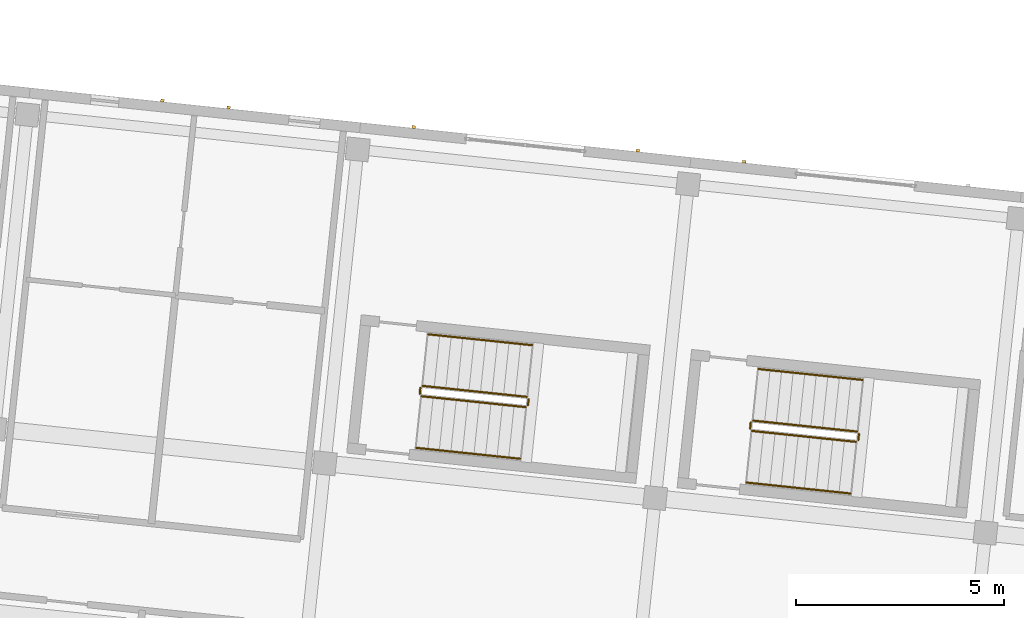
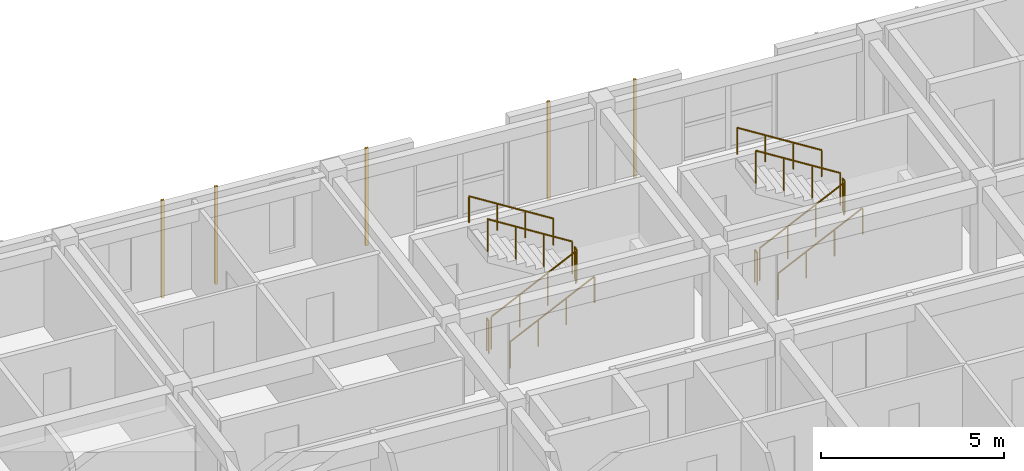
# One storey, part 64 of 65: 12 railings, 5 coverings.
"""IFC4 building model written with IfcOpenShell, lengths in metres."""

import ifcopenshell
import ifcopenshell.guid

model = None  # the IFC model being written
_history = None  # IfcOwnerHistory: only IFC2X3 demands one
_inside = {}  # id of a spatial element -> (the spatial element, [elements in it])
_under = {}  # id of a project, library or spatial element -> (it, [spatial elements below it])
_declared = {}  # id of a project -> (the project, [libraries it declares])
_typed = {}  # id of a type object -> (the type object, [elements of that type])
_made_of = {}  # id of a material, layer set ... -> (it, [elements and type objects made of it])


def new_model(schema):
    """Start an empty IFC model of exactly this schema.

    Asked for "IFC4X3", IfcOpenShell would pick the latest addendum, in which some entities
    have other attributes; the version numbers below select the first issue.
    IFC2X3 requires an IfcOwnerHistory on every rooted entity: one is made here for all.
    """
    global model, _history
    if schema == "IFC4X3":
        model = ifcopenshell.file(schema_version=(4, 3, 0, 0))
    else:
        model = ifcopenshell.file(schema=schema)
    _inside.clear()
    _under.clear()
    _declared.clear()
    _typed.clear()
    _made_of.clear()
    _history = None
    if model.schema == "IFC2X3":
        org = make("IfcOrganization", Name="unknown")
        user = make(
            "IfcPersonAndOrganization",
            ThePerson=make("IfcPerson", FamilyName="unknown"),
            TheOrganization=org,
        )
        app = make(
            "IfcApplication",
            ApplicationDeveloper=org,
            Version="unknown",
            ApplicationFullName="unknown",
            ApplicationIdentifier="unknown",
        )
        _history = make(
            "IfcOwnerHistory",
            OwningUser=user,
            OwningApplication=app,
            ChangeAction="ADDED",
            CreationDate=0,
        )
    return model


def make(cls, **values):
    """One entity of the class cls with the attributes given. An attribute that is None is left unset."""
    return model.create_entity(
        cls, **{name: value for name, value in values.items() if value is not None}
    )


def rooted(cls, **values):
    """An entity with a GlobalId (a new one), such as an element, a storey or a relation."""
    return make(cls, GlobalId=ifcopenshell.guid.new(), OwnerHistory=_history, **values)


def si_unit(unit_type, name, prefix=None):
    """IfcSIUnit, for example si_unit("LENGTHUNIT", "METRE", prefix="MILLI")."""
    return make("IfcSIUnit", UnitType=unit_type, Prefix=prefix, Name=name)


def assignment(units):
    """IfcUnitAssignment: the units of a project."""
    return None if units is None else make("IfcUnitAssignment", Units=units)


def point(xyz):
    """IfcCartesianPoint."""
    return None if xyz is None else make("IfcCartesianPoint", Coordinates=xyz)


def direction(xyz):
    """IfcDirection."""
    return None if xyz is None else make("IfcDirection", DirectionRatios=xyz)


def frame(location, z_axis=None, x_axis=None):
    """IfcAxis2Placement3D, a coordinate frame: its origin and axes. An axis left out is left unset."""
    return make(
        "IfcAxis2Placement3D",
        Location=point(location),
        Axis=direction(z_axis),
        RefDirection=direction(x_axis),
    )


def frame_2d(location, x_axis=None):
    """IfcAxis2Placement2D, a coordinate frame in the plane: its origin and x axis."""
    return make(
        "IfcAxis2Placement2D", Location=point(location), RefDirection=direction(x_axis)
    )


def origin():
    """The frame at (0, 0, 0) with its axes left unset."""
    return frame((0.0, 0.0, 0.0))


def origin_2d():
    """The frame at (0, 0) in the plane with its x axis left unset."""
    return frame_2d((0.0, 0.0))


def place(relative_to, where):
    """IfcLocalPlacement: puts the frame where relative to a parent placement (None: the world)."""
    return make(
        "IfcLocalPlacement", PlacementRelTo=relative_to, RelativePlacement=where
    )


def context(
    kind, dimensions, precision=None, world=None, true_north=None, identifier=None
):
    """IfcGeometricRepresentationContext, for example the 3D "Model" context."""
    return make(
        "IfcGeometricRepresentationContext",
        ContextIdentifier=identifier,
        ContextType=kind,
        CoordinateSpaceDimension=dimensions,
        Precision=precision,
        WorldCoordinateSystem=world,
        TrueNorth=true_north,
    )


def subcontext(parent, identifier, kind, view, scale=None):
    """IfcGeometricRepresentationSubContext, for example "Body" below "Model"."""
    return make(
        "IfcGeometricRepresentationSubContext",
        ContextIdentifier=identifier,
        ContextType=kind,
        ParentContext=parent,
        TargetScale=scale,
        TargetView=view,
    )


def project(units=None, contexts=None):
    """IfcProject with its units and contexts."""
    return rooted(
        "IfcProject",
        Name="project",
        RepresentationContexts=contexts,
        UnitsInContext=assignment(units),
    )


def spatial(cls, under=None, at=None, **own):
    """A site, building, storey or space (cls), placed at a placement, below another one or the project."""
    s = rooted(cls, ObjectPlacement=at, **own)
    if under is not None:
        _under.setdefault(under.id(), (under, []))[1].append(s)
    return s


def profile(cls, at=None, kind="AREA", **sizes):
    """A parametric profile (cls). Its sizes go by their IFC names, for example OverallWidth=200.0."""
    return make(cls, ProfileType=kind, Position=at, **sizes)


def rectangle(**sizes):
    """IfcRectangleProfileDef."""
    return profile("IfcRectangleProfileDef", **sizes)


def circle(**sizes):
    """IfcCircleProfileDef."""
    return profile("IfcCircleProfileDef", **sizes)


def extrude(swept, where, along, depth):
    """IfcExtrudedAreaSolid: the profile swept, set in the frame where, extruded along a direction by depth."""
    return make(
        "IfcExtrudedAreaSolid",
        SweptArea=swept,
        Position=where,
        ExtrudedDirection=direction(along),
        Depth=depth,
    )


def shape(context_of_items, identifier, shape_type, items):
    """IfcShapeRepresentation: the items that make up one representation, for example the "Body"."""
    return make(
        "IfcShapeRepresentation",
        ContextOfItems=context_of_items,
        RepresentationIdentifier=identifier,
        RepresentationType=shape_type,
        Items=items,
    )


def material(Name=None, Category=None):
    """IfcMaterial."""
    return make("IfcMaterial", Name=Name, Category=Category)


def layer(
    of_material, thickness, ventilated=None, Name=None, Category=None, Priority=None
):
    """IfcMaterialLayer: one layer of a wall or slab, of a material (None: an air gap)."""
    return make(
        "IfcMaterialLayer",
        Material=of_material,
        LayerThickness=thickness,
        IsVentilated=ventilated,
        Name=Name,
        Category=Category,
        Priority=Priority,
    )


def layer_set(layers, Name=None):
    """IfcMaterialLayerSet."""
    return make("IfcMaterialLayerSet", MaterialLayers=layers, LayerSetName=Name)


def made_of(thing, what):
    """Note that an element or type object is made of a material, layer set ...; save() writes the relation."""
    if what is not None:
        _made_of.setdefault(what.id(), (what, []))[1].append(thing)
    return thing


def type_object(cls, material=None, **own):
    """A type object (cls), such as IfcWallType, which elements share."""
    return made_of(rooted(cls, **own), material)


def element(
    cls,
    number,
    at=None,
    inside=None,
    cuts=None,
    type_object=None,
    material=None,
    context=None,
    identifier="Body",
    shape_type=None,
    held_by="IfcProductDefinitionShape",
    body=None,
    shapes=None,
    **own,
):
    """One element of the class cls, such as IfcWall. Its Tag is "e" and its number.

    at: its placement. inside: the storey or other place that contains it. cuts: it is an
    opening in that element (IfcRelVoidsElement). A single representation is given by context,
    identifier, shape_type and body (its items); several are given by shapes. held_by: the class
    of the entity that holds the representations. save() writes the other relations.
    """
    e = rooted(cls, Tag="e%d" % number, ObjectPlacement=at, **own)
    if body is not None:
        shapes = [shape(context, identifier, shape_type, body)]
    if shapes is not None:
        e.Representation = make(held_by, Representations=shapes)
    if inside is not None:
        _inside.setdefault(inside.id(), (inside, []))[1].append(e)
    if cuts is not None:
        rooted(
            "IfcRelVoidsElement", RelatingBuildingElement=cuts, RelatedOpeningElement=e
        )
    if type_object is not None:
        _typed.setdefault(type_object.id(), (type_object, []))[1].append(e)
    return made_of(e, material)


def aggregate(whole, parts):
    """IfcRelAggregates: a whole, such as a stair, and the parts it consists of."""
    return rooted("IfcRelAggregates", RelatingObject=whole, RelatedObjects=parts)


def save(model, path):
    """Write the relations noted so far, then the file.

    IfcRelAggregates (storeys below a building ...), IfcRelContainedInSpatialStructure (elements
    in a storey), IfcRelDefinesByType, IfcRelAssociatesMaterial and IfcRelDeclares: one each for
    every whole, place, type object, material and project.
    """
    for whole, parts in _under.values():
        aggregate(whole, parts)
    for where, things in _inside.values():
        rooted(
            "IfcRelContainedInSpatialStructure",
            RelatedElements=things,
            RelatingStructure=where,
        )
    for kind, things in _typed.values():
        rooted("IfcRelDefinesByType", RelatedObjects=things, RelatingType=kind)
    for what, things in _made_of.values():
        rooted("IfcRelAssociatesMaterial", RelatedObjects=things, RelatingMaterial=what)
    for by, libraries in _declared.values():
        rooted("IfcRelDeclares", RelatingContext=by, RelatedDefinitions=libraries)
    model.write(path)


model = new_model("IFC4")

# Units and contexts
model_context = context("Model", 3, precision=1e-05, world=origin(), true_north=direction((0.0, 1.0)))
body_context = subcontext(model_context, "Body", "Model", "MODEL_VIEW")
ifc_project = project(units=[si_unit("LENGTHUNIT", "METRE"), si_unit("AREAUNIT", "SQUARE_METRE"), si_unit("VOLUMEUNIT", "CUBIC_METRE"), si_unit("PLANEANGLEUNIT", "RADIAN"), si_unit("MASSUNIT", "GRAM", prefix="KILO")], contexts=[model_context])

# Site, building, storey
site_placement = place(None, origin())
site = spatial("IfcSite", under=ifc_project, at=site_placement, CompositionType="ELEMENT")
building_placement = place(site_placement, origin())
building = spatial("IfcBuilding", under=site, at=building_placement, Name="Kestramere Prow Commons", CompositionType="ELEMENT")
storey_placement = place(building_placement, frame((0.0, 0.0, 21.39990234375)))
storey = spatial("IfcBuildingStorey", under=building, at=storey_placement, Name="L06", CompositionType="ELEMENT", Elevation=21.39990234375)

# Coverings
ifc_material_1 = material(Name="Weathered Zinc-Titanium Standing-Seam Cladding")
ifc_layer = layer(ifc_material_1, 0.074951171875)
ifc_layer_set = layer_set([ifc_layer], Name="Weathered Zinc-Titanium Standing-Seam Cladding")
covering_type = type_object("IfcCoveringType", Name="COV-CLAD-SEAM", PredefinedType="CLADDING", material=ifc_layer_set)
for number, where, z_axis, x_axis, name in (
    (1, (131.21435546875, 112.95947265625, -0.25), (0.0, 0.0, 1.0), (0.994521895368, -0.104528463268, 0.0), "EW-B-L06-N-2 Standing-Seam Rib 2"),
    (2, (132.8056640625, 112.792236328125, -0.25), (0.0, 0.0, 1.0), (0.994521895368, -0.104528463268, 0.0), "EW-B-L06-N-2 Standing-Seam Rib 3"),
    (3, (137.2685546875, 112.3232421875, -0.25), (0.0, 0.0, 1.0), (0.994521895368, -0.104528463268, 0.0), "EW-B-L06-NP-3-L Standing-Seam Rib 1"),
    (4, (142.663818359375, 111.756103515625, -0.25), (0.0, 0.0, 1.0), (0.994521895368, -0.104528463268, 0.0), "EW-B-L06-NP-3-R Standing-Seam Rib 1"),
    (5, (145.224609375, 111.48681640625, -0.25), (0.0, 0.0, 1.0), (0.994521895368, -0.104528463268, 0.0), "EW-B-L06-NP-4-L Standing-Seam Rib 1"),
):
    element("IfcCovering", number, at=place(storey_placement, frame(where, z_axis=z_axis, x_axis=x_axis)), inside=storey, type_object=covering_type, Name=name, PredefinedType="CLADDING", context=body_context, shape_type="SweptSolid", body=[
        extrude(rectangle(XDim=0.0849609375, YDim=0.06494140625, at=origin_2d()), origin(), (0.0, 0.0, 1.0), 3.25),
    ])

# Railings
ifc_material_2 = material(Name="Galvanised Steel S275JR", Category="steel")
railing_type_1 = type_object("IfcRailingType", Name="RL-ST-GR-1100", PredefinedType="GUARDRAIL", material=ifc_material_2)
railing_1_placement = place(storey_placement, frame((137.454345703125, 105.8408203125, 0.16259765625)))
element("IfcRailing", 6, at=railing_1_placement, inside=storey, type_object=railing_type_1, Name="L06 ST-B1 stair guard 1", PredefinedType="GUARDRAIL", context=body_context, shape_type="SweptSolid", body=[
    extrude(circle(Radius=0.02392578125, at=origin_2d()), frame((0.0, 0.0, 1.076171875), z_axis=(0.860186756994, -0.09040926464, 0.501901293044), x_axis=(0.104528455675, 0.994521896166, 0.0)), (0.0, 0.0, 1.0), 2.913818359375),
    extrude(circle(Radius=0.02099609375, at=origin_2d()), origin(), (0.0, 0.0, 1.0), 1.052001953125),
    extrude(circle(Radius=0.02099609375, at=origin_2d()), frame((0.83544921875, -0.087890625, 0.487548828125)), (0.0, 0.0, 1.0), 1.052001953125),
    extrude(circle(Radius=0.02099609375, at=origin_2d()), frame((1.6708984375, -0.175537109375, 0.974853515625)), (0.0, 0.0, 1.0), 1.052001953125),
    extrude(circle(Radius=0.02099609375, at=origin_2d()), frame((2.50634765625, -0.263427734375, 1.46240234375)), (0.0, 0.0, 1.0), 1.052001953125),
])
railing_2_placement = place(storey_placement, frame((140.015625, 105.621826171875, 1.625)))
element("IfcRailing", 7, at=railing_2_placement, inside=storey, type_object=railing_type_1, Name="L06 ST-B1 stair guard 2", PredefinedType="GUARDRAIL", context=body_context, shape_type="SweptSolid", body=[
    extrude(circle(Radius=0.02392578125, at=origin_2d()), frame((0.0, 0.0, 1.076171875), z_axis=(0.104176375855, 0.994558838236, 0.0), x_axis=(-0.994558838236, 0.104176375855, 0.0)), (0.0, 0.0, 1.0), 0.14990234375),
    extrude(circle(Radius=0.02099609375, at=origin_2d()), origin(), (0.0, 0.0, 1.0), 1.052001953125),
    extrude(circle(Radius=0.02099609375, at=origin_2d()), frame((0.015625, 0.149169921875, 0.0)), (0.0, 0.0, 1.0), 1.052001953125),
])
railing_3_placement = place(storey_placement, frame((139.98681640625, 105.825927734375, 1.78759765625)))
element("IfcRailing", 8, at=railing_3_placement, inside=storey, type_object=railing_type_1, Name="L06 ST-B1 stair guard 3", PredefinedType="GUARDRAIL", context=body_context, shape_type="SweptSolid", body=[
    extrude(circle(Radius=0.02392578125, at=origin_2d()), frame((0.0, 0.0, 1.076171875), z_axis=(-0.860164962675, 0.090415781269, 0.501937469695), x_axis=(-0.104538527394, -0.994520837534, 0.0)), (0.0, 0.0, 1.0), 2.91357421875),
    extrude(circle(Radius=0.02099609375, at=origin_2d()), origin(), (0.0, 0.0, 1.0), 1.052001953125),
    extrude(circle(Radius=0.02099609375, at=origin_2d()), frame((-0.83544921875, 0.087890625, 0.487548828125)), (0.0, 0.0, 1.0), 1.052001953125),
    extrude(circle(Radius=0.02099609375, at=origin_2d()), frame((-1.670654296875, 0.175537109375, 0.974853515625)), (0.0, 0.0, 1.0), 1.052001953125),
    extrude(circle(Radius=0.02099609375, at=origin_2d()), frame((-2.506103515625, 0.263427734375, 1.46240234375)), (0.0, 0.0, 1.0), 1.052001953125),
])
railing_4_placement = place(storey_placement, frame((137.409912109375, 105.895751953125, 0.0)))
element("IfcRailing", 9, at=railing_4_placement, inside=storey, type_object=railing_type_1, Name="L06 ST-B1 stair guard 4", PredefinedType="GUARDRAIL", context=body_context, shape_type="SweptSolid", body=[
    extrude(circle(Radius=0.02392578125, at=origin_2d()), frame((0.0, 0.0, 1.076171875), z_axis=(0.104176375855, 0.994558838236, 0.0), x_axis=(-0.994558838236, 0.104176375855, 0.0)), (0.0, 0.0, 1.0), 0.14990234375),
    extrude(circle(Radius=0.02099609375, at=origin_2d()), origin(), (0.0, 0.0, 1.0), 1.052001953125),
    extrude(circle(Radius=0.02099609375, at=origin_2d()), frame((0.015625, 0.149169921875, 0.0)), (0.0, 0.0, 1.0), 1.052001953125),
])
railing_5_placement = place(storey_placement, frame((145.41064453125, 105.00439453125, 0.16259765625)))
element("IfcRailing", 10, at=railing_5_placement, inside=storey, type_object=railing_type_1, Name="L06 ST-B2 stair guard 1", PredefinedType="GUARDRAIL", context=body_context, shape_type="SweptSolid", body=[
    extrude(circle(Radius=0.02392578125, at=origin_2d()), frame((0.0, 0.0, 1.076171875), z_axis=(0.860164962675, -0.090415781269, 0.501937469695), x_axis=(0.104538527394, 0.994520837534, 0.0)), (0.0, 0.0, 1.0), 2.91357421875),
    extrude(circle(Radius=0.02099609375, at=origin_2d()), origin(), (0.0, 0.0, 1.0), 1.052001953125),
    extrude(circle(Radius=0.02099609375, at=origin_2d()), frame((0.83544921875, -0.087890625, 0.487548828125)), (0.0, 0.0, 1.0), 1.052001953125),
    extrude(circle(Radius=0.02099609375, at=origin_2d()), frame((1.670654296875, -0.175537109375, 0.974853515625)), (0.0, 0.0, 1.0), 1.052001953125),
    extrude(circle(Radius=0.02099609375, at=origin_2d()), frame((2.506103515625, -0.263427734375, 1.46240234375)), (0.0, 0.0, 1.0), 1.052001953125),
])
railing_6_placement = place(storey_placement, frame((147.9716796875, 104.78564453125, 1.625)))
element("IfcRailing", 11, at=railing_6_placement, inside=storey, type_object=railing_type_1, Name="L06 ST-B2 stair guard 2", PredefinedType="GUARDRAIL", context=body_context, shape_type="SweptSolid", body=[
    extrude(circle(Radius=0.02392578125, at=origin_2d()), frame((0.0, 0.0, 1.076171875), z_axis=(0.105786054594, 0.994388913179, 0.0), x_axis=(-0.994388913179, 0.105786054594, 0.0)), (0.0, 0.0, 1.0), 0.14990234375),
    extrude(circle(Radius=0.02099609375, at=origin_2d()), origin(), (0.0, 0.0, 1.0), 1.052001953125),
    extrude(circle(Radius=0.02099609375, at=origin_2d()), frame((0.015869140625, 0.149169921875, 0.0)), (0.0, 0.0, 1.0), 1.052001953125),
])
railing_7_placement = place(storey_placement, frame((147.94287109375, 104.98974609375, 1.78759765625)))
element("IfcRailing", 12, at=railing_7_placement, inside=storey, type_object=railing_type_1, Name="L06 ST-B2 stair guard 3", PredefinedType="GUARDRAIL", context=body_context, shape_type="SweptSolid", body=[
    extrude(circle(Radius=0.02392578125, at=origin_2d()), frame((0.0, 0.0, 1.076171875), z_axis=(-0.860164962675, 0.090415781269, 0.501937469695), x_axis=(-0.104538527394, -0.994520837534, 0.0)), (0.0, 0.0, 1.0), 2.91357421875),
    extrude(circle(Radius=0.02099609375, at=origin_2d()), origin(), (0.0, 0.0, 1.0), 1.052001953125),
    extrude(circle(Radius=0.02099609375, at=origin_2d()), frame((-0.83544921875, 0.087890625, 0.487548828125)), (0.0, 0.0, 1.0), 1.052001953125),
    extrude(circle(Radius=0.02099609375, at=origin_2d()), frame((-1.670654296875, 0.175537109375, 0.974853515625)), (0.0, 0.0, 1.0), 1.052001953125),
    extrude(circle(Radius=0.02099609375, at=origin_2d()), frame((-2.506103515625, 0.263427734375, 1.46240234375)), (0.0, 0.0, 1.0), 1.052001953125),
])
railing_8_placement = place(storey_placement, frame((145.3662109375, 105.059326171875, 0.0)))
element("IfcRailing", 13, at=railing_8_placement, inside=storey, type_object=railing_type_1, Name="L06 ST-B2 stair guard 4", PredefinedType="GUARDRAIL", context=body_context, shape_type="SweptSolid", body=[
    extrude(circle(Radius=0.02392578125, at=origin_2d()), frame((0.0, 0.0, 1.076171875), z_axis=(0.104176375855, 0.994558838236, 0.0), x_axis=(-0.994558838236, 0.104176375855, 0.0)), (0.0, 0.0, 1.0), 0.14990234375),
    extrude(circle(Radius=0.02099609375, at=origin_2d()), origin(), (0.0, 0.0, 1.0), 1.052001953125),
    extrude(circle(Radius=0.02099609375, at=origin_2d()), frame((0.015625, 0.149169921875, 0.0)), (0.0, 0.0, 1.0), 1.052001953125),
])
ifc_material_3 = material(Name="Stainless Steel 304", Category="steel")
railing_type_2 = type_object("IfcRailingType", Name="RL-ST-HR-900", PredefinedType="HANDRAIL", material=ifc_material_3)
railing_9_placement = place(storey_placement, frame((137.32373046875, 104.59765625, 0.3251953125)))
element("IfcRailing", 14, at=railing_9_placement, inside=storey, type_object=railing_type_2, Name="L06 ST-B1 stair handrail 1", PredefinedType="HANDRAIL", context=body_context, shape_type="SweptSolid", body=[
    extrude(circle(Radius=0.02392578125, at=origin_2d()), frame((0.0, 0.0, 0.8759765625), z_axis=(0.860186756994, -0.09040926464, 0.501901293044), x_axis=(0.104528455675, 0.994521896166, 0.0)), (0.0, 0.0, 1.0), 2.913818359375),
    extrude(circle(Radius=0.02099609375, at=origin_2d()), origin(), (0.0, 0.0, 1.0), 0.851806640625),
    extrude(circle(Radius=0.02099609375, at=origin_2d()), frame((0.83544921875, -0.087890625, 0.487548828125)), (0.0, 0.0, 1.0), 0.851806640625),
    extrude(circle(Radius=0.02099609375, at=origin_2d()), frame((1.6708984375, -0.175537109375, 0.974853515625)), (0.0, 0.0, 1.0), 0.851806640625),
    extrude(circle(Radius=0.02099609375, at=origin_2d()), frame((2.50634765625, -0.263427734375, 1.46240234375)), (0.0, 0.0, 1.0), 0.851806640625),
])
railing_10_placement = place(storey_placement, frame((140.117431640625, 107.069091796875, 1.9501953125)))
element("IfcRailing", 15, at=railing_10_placement, inside=storey, type_object=railing_type_2, Name="L06 ST-B1 stair handrail 2", PredefinedType="HANDRAIL", context=body_context, shape_type="SweptSolid", body=[
    extrude(circle(Radius=0.02392578125, at=origin_2d()), frame((0.0, 0.0, 0.8759765625), z_axis=(-0.860164962675, 0.090415781269, 0.501937469695), x_axis=(-0.104538527394, -0.994520837534, 0.0)), (0.0, 0.0, 1.0), 2.91357421875),
    extrude(circle(Radius=0.02099609375, at=origin_2d()), origin(), (0.0, 0.0, 1.0), 0.851806640625),
    extrude(circle(Radius=0.02099609375, at=origin_2d()), frame((-0.83544921875, 0.087890625, 0.487548828125)), (0.0, 0.0, 1.0), 0.851806640625),
    extrude(circle(Radius=0.02099609375, at=origin_2d()), frame((-1.670654296875, 0.175537109375, 0.974853515625)), (0.0, 0.0, 1.0), 0.851806640625),
    extrude(circle(Radius=0.02099609375, at=origin_2d()), frame((-2.506103515625, 0.263427734375, 1.46240234375)), (0.0, 0.0, 1.0), 0.851806640625),
])
railing_11_placement = place(storey_placement, frame((145.280029296875, 103.76123046875, 0.3251953125)))
element("IfcRailing", 16, at=railing_11_placement, inside=storey, type_object=railing_type_2, Name="L06 ST-B2 stair handrail 1", PredefinedType="HANDRAIL", context=body_context, shape_type="SweptSolid", body=[
    extrude(circle(Radius=0.02392578125, at=origin_2d()), frame((0.0, 0.0, 0.8759765625), z_axis=(0.860164962675, -0.090415781269, 0.501937469695), x_axis=(0.104538527394, 0.994520837534, 0.0)), (0.0, 0.0, 1.0), 2.91357421875),
    extrude(circle(Radius=0.02099609375, at=origin_2d()), origin(), (0.0, 0.0, 1.0), 0.851806640625),
    extrude(circle(Radius=0.02099609375, at=origin_2d()), frame((0.83544921875, -0.087890625, 0.487548828125)), (0.0, 0.0, 1.0), 0.851806640625),
    extrude(circle(Radius=0.02099609375, at=origin_2d()), frame((1.670654296875, -0.175537109375, 0.974853515625)), (0.0, 0.0, 1.0), 0.851806640625),
    extrude(circle(Radius=0.02099609375, at=origin_2d()), frame((2.506103515625, -0.263427734375, 1.46240234375)), (0.0, 0.0, 1.0), 0.851806640625),
])
railing_12_placement = place(storey_placement, frame((148.07373046875, 106.23291015625, 1.9501953125)))
element("IfcRailing", 17, at=railing_12_placement, inside=storey, type_object=railing_type_2, Name="L06 ST-B2 stair handrail 2", PredefinedType="HANDRAIL", context=body_context, shape_type="SweptSolid", body=[
    extrude(circle(Radius=0.02392578125, at=origin_2d()), frame((0.0, 0.0, 0.8759765625), z_axis=(-0.860186756994, 0.09040926464, 0.501901293044), x_axis=(-0.104528455675, -0.994521896166, 0.0)), (0.0, 0.0, 1.0), 2.913818359375),
    extrude(circle(Radius=0.02099609375, at=origin_2d()), origin(), (0.0, 0.0, 1.0), 0.851806640625),
    extrude(circle(Radius=0.02099609375, at=origin_2d()), frame((-0.83544921875, 0.087890625, 0.487548828125)), (0.0, 0.0, 1.0), 0.851806640625),
    extrude(circle(Radius=0.02099609375, at=origin_2d()), frame((-1.6708984375, 0.175537109375, 0.974853515625)), (0.0, 0.0, 1.0), 0.851806640625),
    extrude(circle(Radius=0.02099609375, at=origin_2d()), frame((-2.50634765625, 0.263427734375, 1.46240234375)), (0.0, 0.0, 1.0), 0.851806640625),
])

save(model, "model.ifc")
